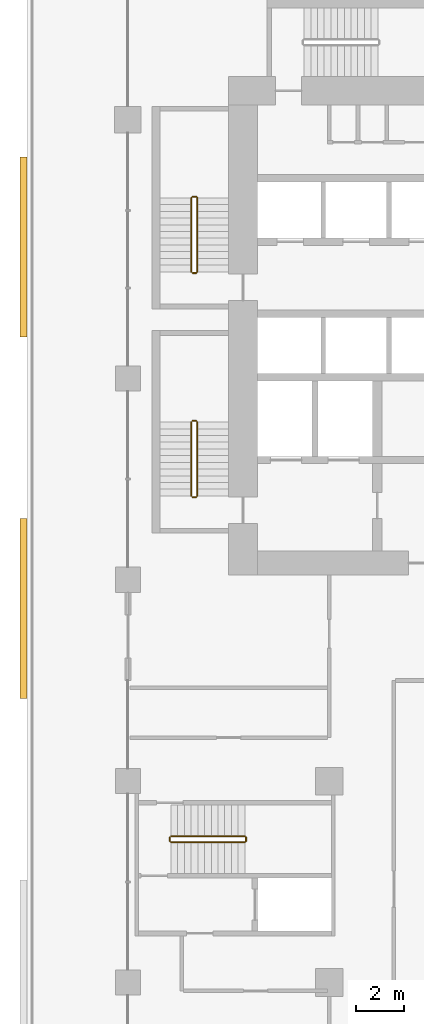
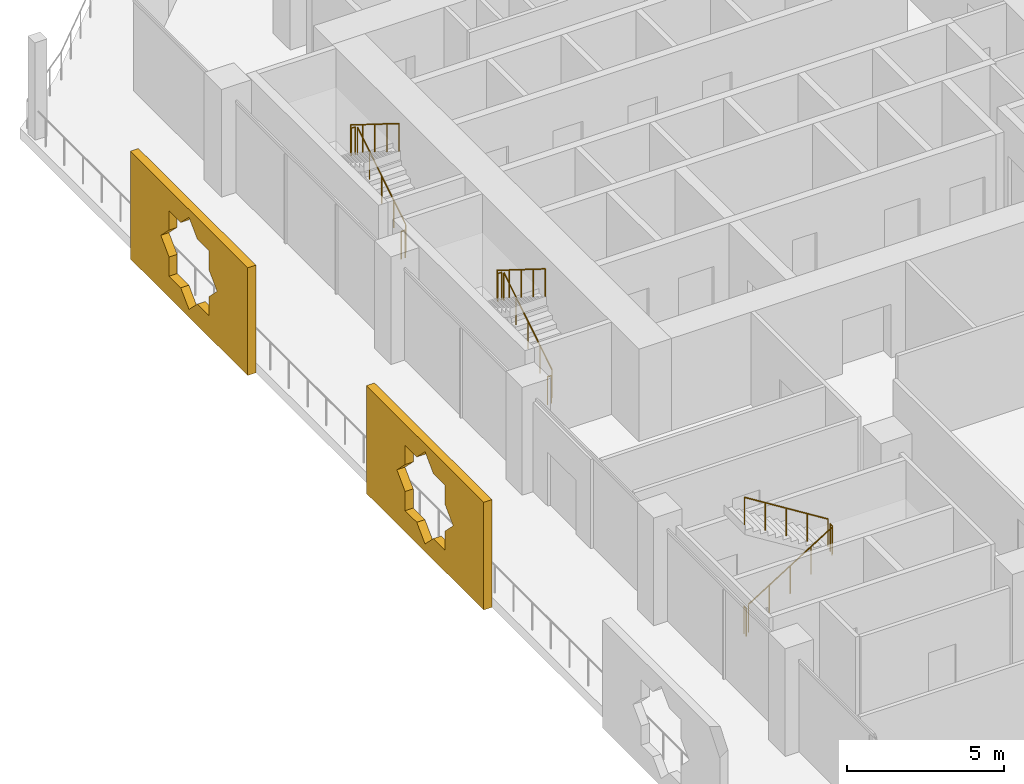
# One storey, part 20 of 25: 12 railings, 2 coverings.
"""IFC4 building model written with IfcOpenShell, lengths in metres."""

from ifc_helpers import new_model, si_unit, direction, frame, origin, origin_2d, place, context, subcontext, project, spatial, polyline, circle, outline, extrude, material, material_profile, profile_set, type_object, element, save


model = new_model("IFC4")

# Units and contexts
model_context = context("Model", 3, precision=1e-05, world=origin(), true_north=direction((0.0, 1.0)))
body_context = subcontext(model_context, "Body", "Model", "MODEL_VIEW")
ifc_project = project(units=[si_unit("LENGTHUNIT", "METRE"), si_unit("AREAUNIT", "SQUARE_METRE"), si_unit("VOLUMEUNIT", "CUBIC_METRE"), si_unit("PLANEANGLEUNIT", "RADIAN"), si_unit("MASSUNIT", "GRAM", prefix="KILO")], contexts=[model_context])

# Site, building, storey
site_placement = place(None, origin())
site = spatial("IfcSite", under=ifc_project, at=site_placement, CompositionType="ELEMENT")
building_placement = place(site_placement, origin())
building = spatial("IfcBuilding", under=site, at=building_placement, Name="Kawkab Arch Medical Tower", CompositionType="ELEMENT")
storey_placement = place(building_placement, frame((0.0, 0.0, 98.800048828125)))
storey = spatial("IfcBuildingStorey", under=building, at=storey_placement, Name="L22", CompositionType="ELEMENT", Elevation=98.800048828125)

# Coverings
ifc_material_1 = material(Name="Bronze anodised aluminium mashrabiya panel, eight-point star pattern", Category="aluminium")
ifc_material_profile = material_profile(ifc_material_1, outline(polyline([(-3.75, -2.10009765625), (3.75, -2.10009765625), (3.75, 2.10009765625), (-3.75, 2.10009765625), (-3.75, -2.10009765625)]), holes=[polyline([(1.800048828125, 0.0), (1.272705078125, 0.527099609375), (1.272705078125, 1.272705078125), (0.527099609375, 1.272705078125), (0.0, 1.800048828125), (-0.527099609375, 1.272705078125), (-1.272705078125, 1.272705078125), (-1.272705078125, 0.527099609375), (-1.800048828125, 0.0), (-1.272705078125, -0.527099609375), (-1.272705078125, -1.272705078125), (-0.527099609375, -1.272705078125), (0.0, -1.800048828125), (0.527099609375, -1.272705078125), (1.272705078125, -1.272705078125), (1.272705078125, -0.527099609375), (1.800048828125, 0.0)])]), Name="Mashrabiya panel 7500x4200")
ifc_profile_set = profile_set([ifc_material_profile], Name="Bronze anodised aluminium mashrabiya panel, eight-point star pattern")
covering_type = type_object("IfcCoveringType", Name="Mashrabiya panel 7500 x 4200", PredefinedType="USERDEFINED", material=ifc_profile_set)
for number, where, z_axis, x_axis, name in (
    (1, (-4.199951171875, -26.39990234375, 1.699951171875), (-1.0, 0.0, 0.0), (0.0, -1.0, 0.0), "Mashrabiya panel L22.LOG-01-01.2"),
    (2, (-4.199951171875, -11.317138671875, 1.699951171875), (-1.0, 0.0, 0.0), (0.0, -1.0, 0.0), "Mashrabiya panel L22.LOG-01-01.3"),
):
    element("IfcCovering", number, at=place(storey_placement, frame(where, z_axis=z_axis, x_axis=x_axis)), inside=storey, type_object=covering_type, Name=name, ObjectType="SCREEN", PredefinedType="USERDEFINED", context=body_context, shape_type="SweptSolid", body=[
        extrude(outline(polyline([(-3.75, -2.10009765625), (3.75, -2.10009765625), (3.75, 2.10009765625), (-3.75, 2.10009765625), (-3.75, -2.10009765625)]), holes=[polyline([(1.800048828125, 0.0), (1.272705078125, 0.527099609375), (1.272705078125, 1.272705078125), (0.527099609375, 1.272705078125), (0.0, 1.800048828125), (-0.527099609375, 1.272705078125), (-1.272705078125, 1.272705078125), (-1.272705078125, 0.527099609375), (-1.800048828125, 0.0), (-1.272705078125, -0.527099609375), (-1.272705078125, -1.272705078125), (-0.527099609375, -1.272705078125), (0.0, -1.800048828125), (0.527099609375, -1.272705078125), (1.272705078125, -1.272705078125), (1.272705078125, -0.527099609375), (1.800048828125, 0.0)])]), origin(), (0.0, 0.0, 1.0), 0.300048828125),
    ])

# Railings
ifc_material_2 = material(Name="Stainless steel", Category="steel")
railing_type = type_object("IfcRailingType", Name="Stair guard 1100", PredefinedType="GUARDRAIL", material=ifc_material_2)
railing_1_placement = place(storey_placement, frame((2.89990234375, -12.35009765625, 0.175048828125)))
element("IfcRailing", 3, at=railing_1_placement, inside=storey, type_object=railing_type, Name="L22 ST1 stair guard 1", PredefinedType="GUARDRAIL", context=body_context, shape_type="SweptSolid", body=[
    extrude(circle(Radius=0.02392578125, at=origin_2d()), frame((0.0, 0.0, 1.076171875), z_axis=(0.0, 0.848028513186, 0.529950602248), x_axis=(-1.0, 0.0, 0.0)), (0.0, 0.0, 1.0), 3.632080078125),
    extrude(circle(Radius=0.02099609375, at=origin_2d()), origin(), (0.0, 0.0, 1.0), 1.052001953125),
    extrude(circle(Radius=0.02099609375, at=origin_2d()), frame((0.0, 0.77001953125, 0.481201171875)), (0.0, 0.0, 1.0), 1.052001953125),
    extrude(circle(Radius=0.02099609375, at=origin_2d()), frame((0.0, 1.5400390625, 0.96240234375)), (0.0, 0.0, 1.0), 1.052001953125),
    extrude(circle(Radius=0.02099609375, at=origin_2d()), frame((0.0, 2.31005859375, 1.443603515625)), (0.0, 0.0, 1.0), 1.052001953125),
    extrude(circle(Radius=0.02099609375, at=origin_2d()), frame((0.0, 3.080078125, 1.9248046875)), (0.0, 0.0, 1.0), 1.052001953125),
])
railing_2_placement = place(storey_placement, frame((2.85009765625, -9.219970703125, 2.099853515625)))
element("IfcRailing", 4, at=railing_2_placement, inside=storey, type_object=railing_type, Name="L22 ST1 stair guard 2", PredefinedType="GUARDRAIL", context=body_context, shape_type="SweptSolid", body=[
    extrude(circle(Radius=0.02392578125, at=origin_2d()), frame((0.0, 0.0, 1.076171875), z_axis=(-1.0, 0.0, 0.0), x_axis=(0.0, -1.0, 0.0)), (0.0, 0.0, 1.0), 0.150146484375),
    extrude(circle(Radius=0.02099609375, at=origin_2d()), origin(), (0.0, 0.0, 1.0), 1.052001953125),
    extrude(circle(Radius=0.02099609375, at=origin_2d()), frame((-0.150146484375, 0.0, 0.0)), (0.0, 0.0, 1.0), 1.052001953125),
])
railing_3_placement = place(storey_placement, frame((2.64990234375, -9.27001953125, 2.27490234375)))
element("IfcRailing", 5, at=railing_3_placement, inside=storey, type_object=railing_type, Name="L22 ST1 stair guard 3", PredefinedType="GUARDRAIL", context=body_context, shape_type="SweptSolid", body=[
    extrude(circle(Radius=0.02392578125, at=origin_2d()), frame((0.0, 0.0, 1.076171875), z_axis=(0.0, -0.847998304005, 0.529998940003), x_axis=(1.0, 0.0, 0.0)), (0.0, 0.0, 1.0), 3.632080078125),
    extrude(circle(Radius=0.02099609375, at=origin_2d()), origin(), (0.0, 0.0, 1.0), 1.052001953125),
    extrude(circle(Radius=0.02099609375, at=origin_2d()), frame((0.0, -0.77001953125, 0.481201171875)), (0.0, 0.0, 1.0), 1.052001953125),
    extrude(circle(Radius=0.02099609375, at=origin_2d()), frame((0.0, -1.5400390625, 0.96240234375)), (0.0, 0.0, 1.0), 1.052001953125),
    extrude(circle(Radius=0.02099609375, at=origin_2d()), frame((0.0, -2.31005859375, 1.44384765625)), (0.0, 0.0, 1.0), 1.052001953125),
    extrude(circle(Radius=0.02099609375, at=origin_2d()), frame((0.0, -3.080078125, 1.925048828125)), (0.0, 0.0, 1.0), 1.052001953125),
])
railing_4_placement = place(storey_placement, frame((2.85009765625, -12.39990234375, 0.0)))
element("IfcRailing", 6, at=railing_4_placement, inside=storey, type_object=railing_type, Name="L22 ST1 stair guard 4", PredefinedType="GUARDRAIL", context=body_context, shape_type="SweptSolid", body=[
    extrude(circle(Radius=0.02392578125, at=origin_2d()), frame((0.0, 0.0, 1.076171875), z_axis=(-1.0, 0.0, 0.0), x_axis=(0.0, -1.0, 0.0)), (0.0, 0.0, 1.0), 0.150146484375),
    extrude(circle(Radius=0.02099609375, at=origin_2d()), origin(), (0.0, 0.0, 1.0), 1.052001953125),
    extrude(circle(Radius=0.02099609375, at=origin_2d()), frame((-0.150146484375, 0.0, 0.0)), (0.0, 0.0, 1.0), 1.052001953125),
])
railing_5_placement = place(storey_placement, frame((2.89990234375, -21.699951171875, 0.175048828125)))
element("IfcRailing", 7, at=railing_5_placement, inside=storey, type_object=railing_type, Name="L22 ST2 stair guard 1", PredefinedType="GUARDRAIL", context=body_context, shape_type="SweptSolid", body=[
    extrude(circle(Radius=0.02392578125, at=origin_2d()), frame((0.0, 0.0, 1.076171875), z_axis=(0.0, 0.848009633417, 0.529980812513), x_axis=(-1.0, 0.0, 0.0)), (0.0, 0.0, 1.0), 3.6318359375),
    extrude(circle(Radius=0.02099609375, at=origin_2d()), origin(), (0.0, 0.0, 1.0), 1.052001953125),
    extrude(circle(Radius=0.02099609375, at=origin_2d()), frame((0.0, 0.77001953125, 0.481201171875)), (0.0, 0.0, 1.0), 1.052001953125),
    extrude(circle(Radius=0.02099609375, at=origin_2d()), frame((0.0, 1.5400390625, 0.96240234375)), (0.0, 0.0, 1.0), 1.052001953125),
    extrude(circle(Radius=0.02099609375, at=origin_2d()), frame((0.0, 2.309814453125, 1.443603515625)), (0.0, 0.0, 1.0), 1.052001953125),
    extrude(circle(Radius=0.02099609375, at=origin_2d()), frame((0.0, 3.079833984375, 1.9248046875)), (0.0, 0.0, 1.0), 1.052001953125),
])
railing_6_placement = place(storey_placement, frame((2.85009765625, -18.570068359375, 2.099853515625)))
element("IfcRailing", 8, at=railing_6_placement, inside=storey, type_object=railing_type, Name="L22 ST2 stair guard 2", PredefinedType="GUARDRAIL", context=body_context, shape_type="SweptSolid", body=[
    extrude(circle(Radius=0.02392578125, at=origin_2d()), frame((0.0, 0.0, 1.076171875), z_axis=(-1.0, 0.0, 0.0), x_axis=(0.0, -1.0, 0.0)), (0.0, 0.0, 1.0), 0.150146484375),
    extrude(circle(Radius=0.02099609375, at=origin_2d()), origin(), (0.0, 0.0, 1.0), 1.052001953125),
    extrude(circle(Radius=0.02099609375, at=origin_2d()), frame((-0.150146484375, 0.0, 0.0)), (0.0, 0.0, 1.0), 1.052001953125),
])
railing_7_placement = place(storey_placement, frame((2.64990234375, -18.6201171875, 2.27490234375)))
element("IfcRailing", 9, at=railing_7_placement, inside=storey, type_object=railing_type, Name="L22 ST2 stair guard 3", PredefinedType="GUARDRAIL", context=body_context, shape_type="SweptSolid", body=[
    extrude(circle(Radius=0.02392578125, at=origin_2d()), frame((0.0, 0.0, 1.076171875), z_axis=(0.0, -0.847979421464, 0.530029150871), x_axis=(1.0, 0.0, 0.0)), (0.0, 0.0, 1.0), 3.632080078125),
    extrude(circle(Radius=0.02099609375, at=origin_2d()), origin(), (0.0, 0.0, 1.0), 1.052001953125),
    extrude(circle(Radius=0.02099609375, at=origin_2d()), frame((0.0, -0.77001953125, 0.481201171875)), (0.0, 0.0, 1.0), 1.052001953125),
    extrude(circle(Radius=0.02099609375, at=origin_2d()), frame((0.0, -1.5400390625, 0.96240234375)), (0.0, 0.0, 1.0), 1.052001953125),
    extrude(circle(Radius=0.02099609375, at=origin_2d()), frame((0.0, -2.309814453125, 1.44384765625)), (0.0, 0.0, 1.0), 1.052001953125),
    extrude(circle(Radius=0.02099609375, at=origin_2d()), frame((0.0, -3.079833984375, 1.925048828125)), (0.0, 0.0, 1.0), 1.052001953125),
])
railing_8_placement = place(storey_placement, frame((2.85009765625, -21.75, 0.0)))
element("IfcRailing", 10, at=railing_8_placement, inside=storey, type_object=railing_type, Name="L22 ST2 stair guard 4", PredefinedType="GUARDRAIL", context=body_context, shape_type="SweptSolid", body=[
    extrude(circle(Radius=0.02392578125, at=origin_2d()), frame((0.0, 0.0, 1.076171875), z_axis=(-1.0, 0.0, 0.0), x_axis=(0.0, -1.0, 0.0)), (0.0, 0.0, 1.0), 0.150146484375),
    extrude(circle(Radius=0.02099609375, at=origin_2d()), origin(), (0.0, 0.0, 1.0), 1.052001953125),
    extrude(circle(Radius=0.02099609375, at=origin_2d()), frame((-0.150146484375, 0.0, 0.0)), (0.0, 0.0, 1.0), 1.052001953125),
])
railing_9_placement = place(storey_placement, frame((1.800048828125, -36.14990234375, 0.175048828125)))
element("IfcRailing", 11, at=railing_9_placement, inside=storey, type_object=railing_type, Name="L22 ST6 stair guard 1", PredefinedType="GUARDRAIL", context=body_context, shape_type="SweptSolid", body=[
    extrude(circle(Radius=0.02392578125, at=origin_2d()), frame((0.0, 0.0, 1.076171875), z_axis=(0.848009633417, 0.0, 0.529980812513), x_axis=(0.0, 1.0, 0.0)), (0.0, 0.0, 1.0), 3.6318359375),
    extrude(circle(Radius=0.02099609375, at=origin_2d()), origin(), (0.0, 0.0, 1.0), 1.052001953125),
    extrude(circle(Radius=0.02099609375, at=origin_2d()), frame((0.77001953125, 0.0, 0.481201171875)), (0.0, 0.0, 1.0), 1.052001953125),
    extrude(circle(Radius=0.02099609375, at=origin_2d()), frame((1.5400390625, 0.0, 0.96240234375)), (0.0, 0.0, 1.0), 1.052001953125),
    extrude(circle(Radius=0.02099609375, at=origin_2d()), frame((2.309814453125, 0.0, 1.443603515625)), (0.0, 0.0, 1.0), 1.052001953125),
    extrude(circle(Radius=0.02099609375, at=origin_2d()), frame((3.079833984375, 0.0, 1.9248046875)), (0.0, 0.0, 1.0), 1.052001953125),
])
railing_10_placement = place(storey_placement, frame((4.929931640625, -36.10009765625, 2.099853515625)))
element("IfcRailing", 12, at=railing_10_placement, inside=storey, type_object=railing_type, Name="L22 ST6 stair guard 2", PredefinedType="GUARDRAIL", context=body_context, shape_type="SweptSolid", body=[
    extrude(circle(Radius=0.02392578125, at=origin_2d()), frame((0.0, 0.0, 1.076171875), z_axis=(0.0, 1.0, 0.0), x_axis=(-1.0, 0.0, 0.0)), (0.0, 0.0, 1.0), 0.150146484375),
    extrude(circle(Radius=0.02099609375, at=origin_2d()), origin(), (0.0, 0.0, 1.0), 1.052001953125),
    extrude(circle(Radius=0.02099609375, at=origin_2d()), frame((0.0, 0.150146484375, 0.0)), (0.0, 0.0, 1.0), 1.052001953125),
])
railing_11_placement = place(storey_placement, frame((4.8798828125, -35.89990234375, 2.27490234375)))
element("IfcRailing", 13, at=railing_11_placement, inside=storey, type_object=railing_type, Name="L22 ST6 stair guard 3", PredefinedType="GUARDRAIL", context=body_context, shape_type="SweptSolid", body=[
    extrude(circle(Radius=0.02392578125, at=origin_2d()), frame((0.0, 0.0, 1.076171875), z_axis=(-0.847979421464, 0.0, 0.530029150871), x_axis=(0.0, -1.0, 0.0)), (0.0, 0.0, 1.0), 3.632080078125),
    extrude(circle(Radius=0.02099609375, at=origin_2d()), origin(), (0.0, 0.0, 1.0), 1.052001953125),
    extrude(circle(Radius=0.02099609375, at=origin_2d()), frame((-0.77001953125, 0.0, 0.481201171875)), (0.0, 0.0, 1.0), 1.052001953125),
    extrude(circle(Radius=0.02099609375, at=origin_2d()), frame((-1.5400390625, 0.0, 0.96240234375)), (0.0, 0.0, 1.0), 1.052001953125),
    extrude(circle(Radius=0.02099609375, at=origin_2d()), frame((-2.309814453125, 0.0, 1.44384765625)), (0.0, 0.0, 1.0), 1.052001953125),
    extrude(circle(Radius=0.02099609375, at=origin_2d()), frame((-3.079833984375, 0.0, 1.925048828125)), (0.0, 0.0, 1.0), 1.052001953125),
])
railing_12_placement = place(storey_placement, frame((1.75, -36.10009765625, 0.0)))
element("IfcRailing", 14, at=railing_12_placement, inside=storey, type_object=railing_type, Name="L22 ST6 stair guard 4", PredefinedType="GUARDRAIL", context=body_context, shape_type="SweptSolid", body=[
    extrude(circle(Radius=0.02392578125, at=origin_2d()), frame((0.0, 0.0, 1.076171875), z_axis=(0.0, 1.0, 0.0), x_axis=(-1.0, 0.0, 0.0)), (0.0, 0.0, 1.0), 0.150146484375),
    extrude(circle(Radius=0.02099609375, at=origin_2d()), origin(), (0.0, 0.0, 1.0), 1.052001953125),
    extrude(circle(Radius=0.02099609375, at=origin_2d()), frame((0.0, 0.150146484375, 0.0)), (0.0, 0.0, 1.0), 1.052001953125),
])

save(model, "model.ifc")
